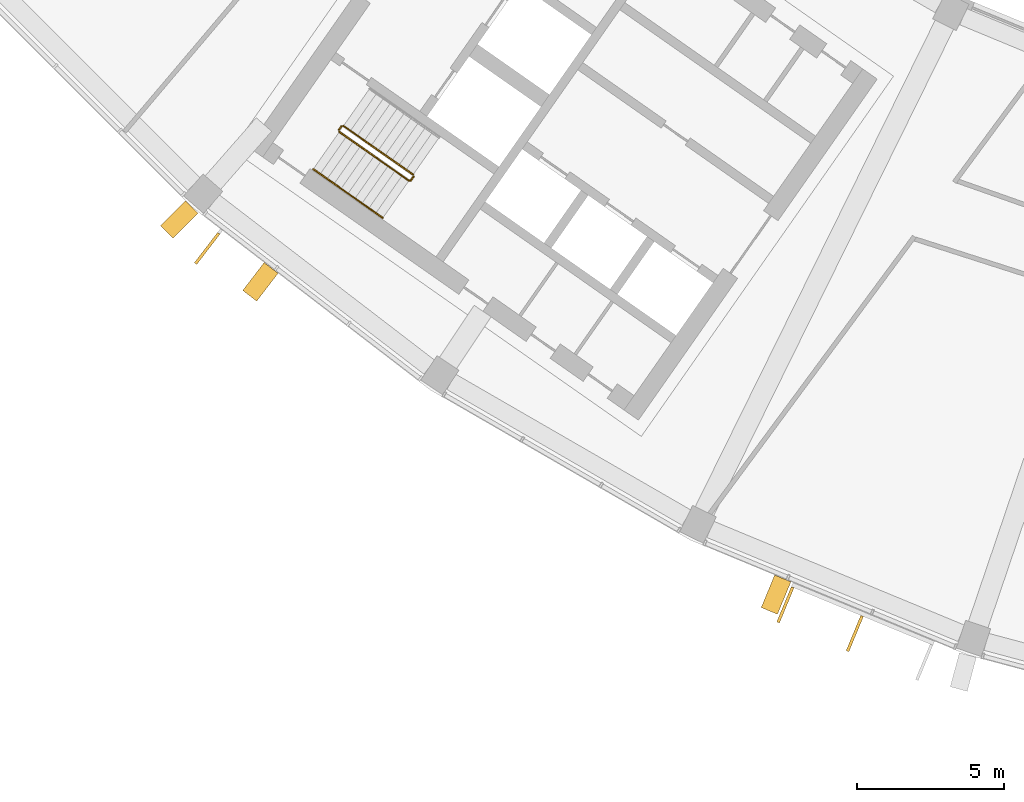
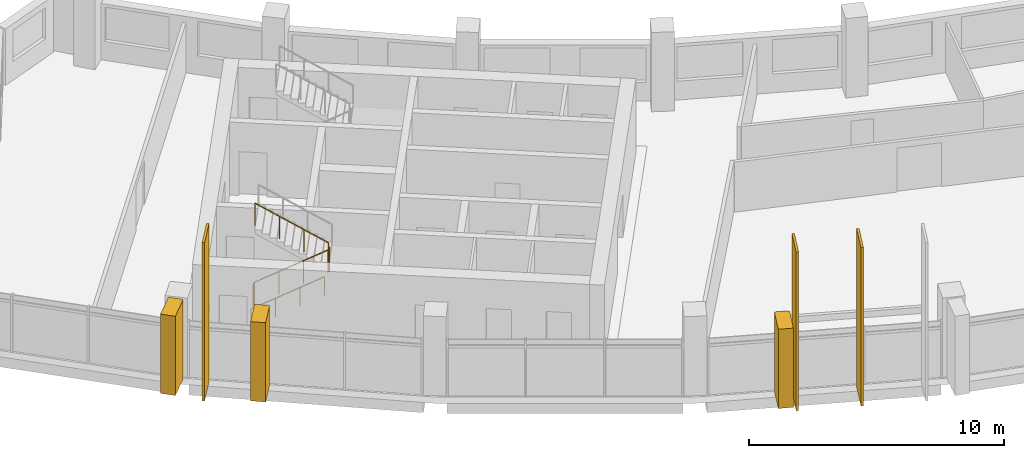
# One storey, part 23 of 28: 6 shading devices, 4 railings.
"""IFC4 building model written with IfcOpenShell, lengths in metres."""

from ifc_helpers import new_model, si_unit, direction, frame, origin, origin_2d, place, context, subcontext, project, spatial, polyline, rectangle, circle, outline, extrude, material, material_profile, profile_set, type_object, element, save


model = new_model("IFC4")

# Units and contexts
model_context = context("Model", 3, precision=1e-05, world=origin(), true_north=direction((0.0, 1.0)))
body_context = subcontext(model_context, "Body", "Model", "MODEL_VIEW")
ifc_project = project(units=[si_unit("LENGTHUNIT", "METRE"), si_unit("AREAUNIT", "SQUARE_METRE"), si_unit("VOLUMEUNIT", "CUBIC_METRE"), si_unit("PLANEANGLEUNIT", "RADIAN"), si_unit("MASSUNIT", "GRAM", prefix="KILO")], contexts=[model_context])

# Site, building, storey
site_placement = place(None, origin())
site = spatial("IfcSite", under=ifc_project, at=site_placement, CompositionType="ELEMENT")
building_placement = place(site_placement, origin())
building = spatial("IfcBuilding", under=site, at=building_placement, Name="Qamariyya Broadcast Tower", CompositionType="ELEMENT")
storey_placement = place(building_placement, frame((0.0, 0.0, 273.300048828125)))
storey = spatial("IfcBuildingStorey", under=building, at=storey_placement, Name="L66", CompositionType="ELEMENT", Elevation=273.300048828125)

# Shading devices
ifc_material_1 = material(Name="Steel S355 powder coated deep red", Category="steel")
shading_device_type_1 = type_object("IfcShadingDeviceType", Name="Deep red frame, powder coated steel box section", PredefinedType="USERDEFINED", material=ifc_material_1)
shading_device_1_placement = place(storey_placement, origin())
element("IfcShadingDevice", 1, at=shading_device_1_placement, inside=storey, type_object=shading_device_type_1, Name="e-frm-B5-F2-posta-L66", ObjectType="FRAME", PredefinedType="USERDEFINED", context=body_context, shape_type="SweptSolid", body=[
    extrude(outline(polyline([(-49.1875, -60.8037109375), (-49.91796875, -61.755615234375), (-49.44189453125, -62.120849609375), (-48.71142578125, -61.1689453125), (-49.1875, -60.8037109375)])), origin(), (0.0, 0.0, 1.0), 3.800048828125),
])
shading_device_2_placement = place(storey_placement, origin())
element("IfcShadingDevice", 2, at=shading_device_2_placement, inside=storey, type_object=shading_device_type_1, Name="e-frm-B5-F2-postb-L66", ObjectType="FRAME", PredefinedType="USERDEFINED", context=body_context, shape_type="SweptSolid", body=[
    extrude(outline(polyline([(-31.7744140625, -71.46240234375), (-32.233642578125, -72.571044921875), (-31.67919921875, -72.80078125), (-31.219970703125, -71.692138671875), (-31.7744140625, -71.46240234375)])), origin(), (0.0, 0.0, 1.0), 3.800048828125),
])
shading_device_3_placement = place(storey_placement, origin())
element("IfcShadingDevice", 3, at=shading_device_3_placement, inside=storey, type_object=shading_device_type_1, Name="e-frm-B5-F1-postb-L66", ObjectType="FRAME", PredefinedType="USERDEFINED", context=body_context, shape_type="SweptSolid", body=[
    extrude(outline(polyline([(-51.871826171875, -58.694580078125), (-52.720458984375, -59.54296875), (-52.296142578125, -59.96728515625), (-51.447509765625, -59.118896484375), (-51.871826171875, -58.694580078125)])), origin(), (0.0, 0.0, 1.0), 3.800048828125),
])

# Railings
ifc_material_2 = material(Name="Painted steel", Category="steel")
railing_type_1 = type_object("IfcRailingType", Name="Stair guard", PredefinedType="GUARDRAIL", material=ifc_material_2)
railing_1_placement = place(storey_placement, frame((-46.624267578125, -56.34765625, 0.172607421875)))
element("IfcRailing", 4, at=railing_1_placement, inside=storey, type_object=railing_type_1, Name="L66 ST-W1 stair guard 1", PredefinedType="GUARDRAIL", context=body_context, shape_type="SweptSolid", body=[
    extrude(circle(Radius=0.02392578125, at=origin_2d()), frame((0.0, 0.0, 1.076171875), z_axis=(0.703745009021, -0.492838488332, 0.511715923826), x_axis=(0.573631830683, 0.819113253969, 0.0)), (0.0, 0.0, 1.0), 3.37548828125),
    extrude(circle(Radius=0.02392578125, at=origin_2d()), frame((2.37548828125, -1.66357421875, 2.80322265625), z_axis=(0.984363469884, 0.176149252506, 0.0), x_axis=(-0.176149252506, 0.984363469884, 0.0)), (0.0, 0.0, 1.0), 0.07080078125),
    extrude(circle(Radius=0.02392578125, at=origin_2d()), frame((2.445068359375, -1.651123046875, 2.80322265625), z_axis=(0.574444878118, 0.818543268254, 0.0), x_axis=(-0.818543268254, 0.574444878118, 0.0)), (0.0, 0.0, 1.0), 0.150146484375),
    extrude(circle(Radius=0.02099609375, at=origin_2d()), origin(), (0.0, 0.0, 1.0), 1.052001953125),
    extrude(circle(Radius=0.02099609375, at=origin_2d()), frame((0.791748046875, -0.554443359375, 0.57568359375)), (0.0, 0.0, 1.0), 1.052001953125),
    extrude(circle(Radius=0.02099609375, at=origin_2d()), frame((1.583740234375, -1.109130859375, 1.151611328125)), (0.0, 0.0, 1.0), 1.052001953125),
    extrude(circle(Radius=0.02099609375, at=origin_2d()), frame((2.37548828125, -1.66357421875, 1.727294921875)), (0.0, 0.0, 1.0), 1.052001953125),
    extrude(circle(Radius=0.02099609375, at=origin_2d()), frame((2.445068359375, -1.651123046875, 1.727294921875)), (0.0, 0.0, 1.0), 1.052001953125),
    extrude(circle(Radius=0.02099609375, at=origin_2d()), frame((2.53125, -1.5283203125, 1.727294921875)), (0.0, 0.0, 1.0), 1.052001953125),
])
railing_2_placement = place(storey_placement, frame((-44.10546875, -57.806396484375, 2.07275390625)))
element("IfcRailing", 5, at=railing_2_placement, inside=storey, type_object=railing_type_1, Name="L66 ST-W1 stair guard 2", PredefinedType="GUARDRAIL", context=body_context, shape_type="SweptSolid", body=[
    extrude(circle(Radius=0.02392578125, at=origin_2d()), frame((0.0, 0.0, 1.076171875), z_axis=(-0.703770094002, 0.492783725636, 0.511734163933), x_axis=(-0.573575343427, -0.819152809562, 0.0)), (0.0, 0.0, 1.0), 3.37548828125),
    extrude(circle(Radius=0.02099609375, at=origin_2d()), origin(), (0.0, 0.0, 1.0), 1.052001953125),
    extrude(circle(Radius=0.02099609375, at=origin_2d()), frame((-0.791748046875, 0.554443359375, 0.57568359375)), (0.0, 0.0, 1.0), 1.052001953125),
    extrude(circle(Radius=0.02099609375, at=origin_2d()), frame((-1.583740234375, 1.10888671875, 1.151611328125)), (0.0, 0.0, 1.0), 1.052001953125),
    extrude(circle(Radius=0.02099609375, at=origin_2d()), frame((-2.37548828125, 1.663330078125, 1.727294921875)), (0.0, 0.0, 1.0), 1.052001953125),
])
railing_3_placement = place(storey_placement, frame((-46.63671875, -56.278076171875, 0.0)))
element("IfcRailing", 6, at=railing_3_placement, inside=storey, type_object=railing_type_1, Name="L66 ST-W1 stair guard 3", PredefinedType="GUARDRAIL", context=body_context, shape_type="SweptSolid", body=[
    extrude(circle(Radius=0.02392578125, at=origin_2d()), frame((0.0, 0.0, 1.076171875), z_axis=(0.574444878118, 0.818543268254, 0.0), x_axis=(-0.818543268254, 0.574444878118, 0.0)), (0.0, 0.0, 1.0), 0.150146484375),
    extrude(circle(Radius=0.02099609375, at=origin_2d()), origin(), (0.0, 0.0, 1.0), 1.052001953125),
    extrude(circle(Radius=0.02099609375, at=origin_2d()), frame((0.086181640625, 0.122802734375, 0.0)), (0.0, 0.0, 1.0), 1.052001953125),
])
ifc_material_3 = material(Name="Stainless steel", Category="steel")
railing_type_2 = type_object("IfcRailingType", Name="Stair handrail", PredefinedType="HANDRAIL", material=ifc_material_3)
railing_4_placement = place(storey_placement, frame((-47.513427734375, -57.617431640625, 0.172607421875)))
element("IfcRailing", 7, at=railing_4_placement, inside=storey, type_object=railing_type_2, Name="L66 ST-W1 stair handrail 1", PredefinedType="HANDRAIL", context=body_context, shape_type="SweptSolid", body=[
    extrude(circle(Radius=0.02392578125, at=origin_2d()), frame((0.0, 0.0, 0.8759765625), z_axis=(0.703770094002, -0.492783725636, 0.511734163933), x_axis=(0.573575343427, 0.819152809562, 0.0)), (0.0, 0.0, 1.0), 3.37548828125),
    extrude(circle(Radius=0.02099609375, at=origin_2d()), origin(), (0.0, 0.0, 1.0), 0.851806640625),
    extrude(circle(Radius=0.02099609375, at=origin_2d()), frame((0.791748046875, -0.554443359375, 0.57568359375)), (0.0, 0.0, 1.0), 0.851806640625),
    extrude(circle(Radius=0.02099609375, at=origin_2d()), frame((1.583740234375, -1.10888671875, 1.151611328125)), (0.0, 0.0, 1.0), 0.851806640625),
    extrude(circle(Radius=0.02099609375, at=origin_2d()), frame((2.37548828125, -1.663330078125, 1.727294921875)), (0.0, 0.0, 1.0), 0.851806640625),
])

# Shading devices
ifc_material_4 = material(Name="Glazed terracotta", Category="masonry")
ifc_material_profile = material_profile(ifc_material_4, rectangle(XDim=1.300048828125, YDim=0.10009765625, at=origin_2d()))
ifc_profile_set = profile_set([ifc_material_profile], Name="Glazed terracotta")
shading_device_type_2 = type_object("IfcShadingDeviceType", Name="Terracotta fin 100 x 1300", PredefinedType="USERDEFINED", material=ifc_profile_set)
for number, where, z_axis, x_axis, name in (
    (8, (-51.13037109375, -60.3212890625, 0.0), (0.0, 0.0, 1.0), (-0.608761429009, -0.793353340291, 0.0), "e-fin-L66-02-0"),
    (9, (-31.40869140625, -72.479736328125, 0.0), (0.0, 0.0, 1.0), (-0.382683432365, -0.923879532511, 0.0), "e-fin-L66-04-1"),
    (10, (-29.041748046875, -73.46044921875, 0.0), (0.0, 0.0, 1.0), (-0.382683432365, -0.923879532511, 0.0), "e-fin-L66-04-2"),
):
    element("IfcShadingDevice", number, at=place(storey_placement, frame(where, z_axis=z_axis, x_axis=x_axis)), inside=storey, type_object=shading_device_type_2, Name=name, ObjectType="FIN", PredefinedType="USERDEFINED", context=body_context, shape_type="SweptSolid", body=[
        extrude(rectangle(XDim=1.300048828125, YDim=0.10009765625, at=origin_2d()), origin(), (0.0, 0.0, 1.0), 7.599853515625),
    ])

save(model, "model.ifc")
